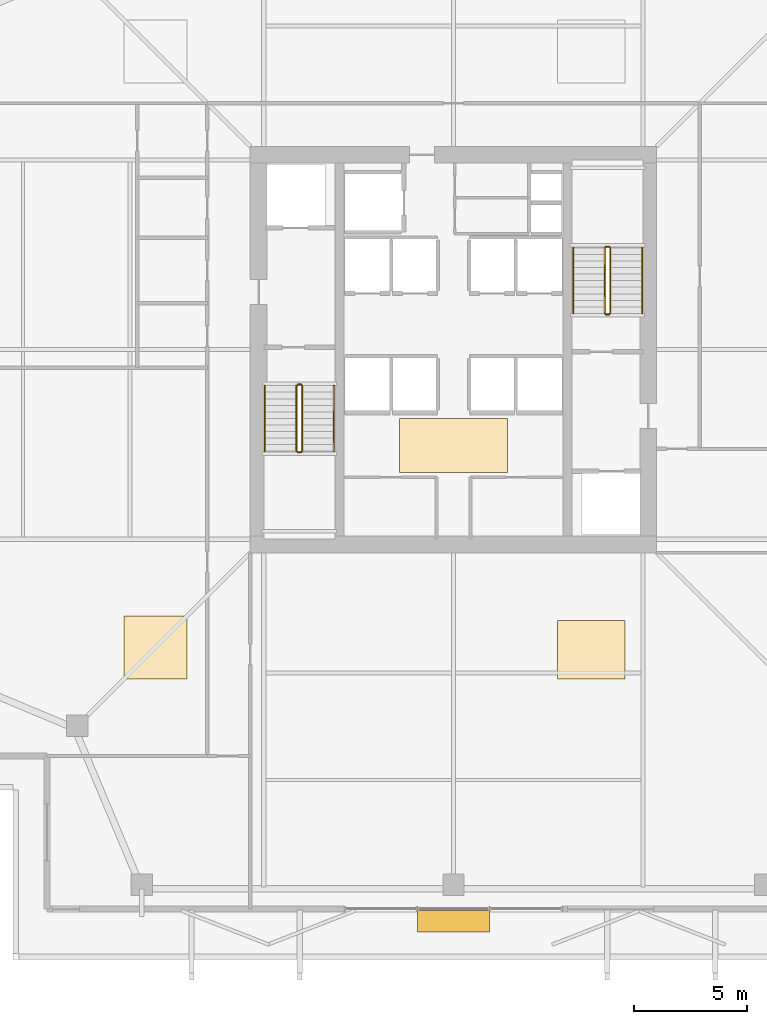
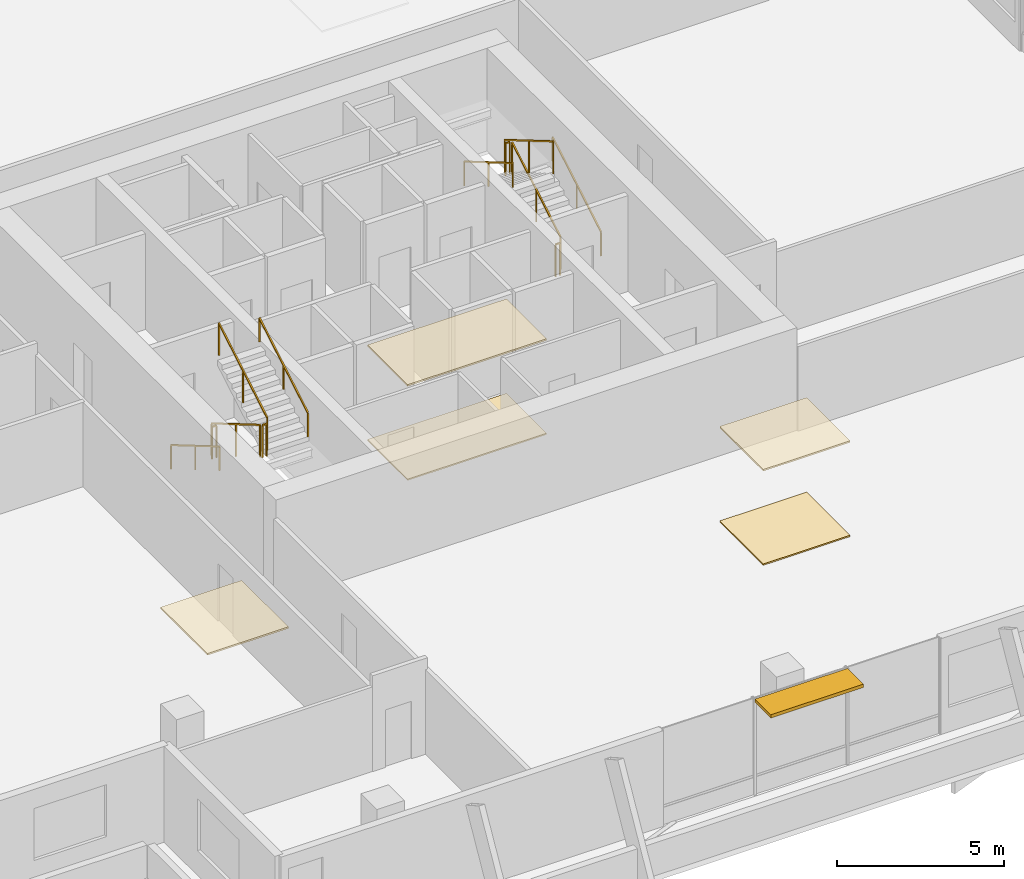
# One storey, part 16 of 17: 12 railings, 5 coverings, 1 shading device.
"""IFC4 building model written with IfcOpenShell, lengths in metres."""

from ifc_helpers import new_model, si_unit, direction, frame, origin, origin_2d, place, context, subcontext, project, spatial, polyline, rectangle, outline, extrude, material, layer, layer_set, type_object, element, save


model = new_model("IFC4")

# Units and contexts
model_context = context("Model", 3, precision=1e-05, world=origin(), true_north=direction((0.0, 1.0)))
body_context = subcontext(model_context, "Body", "Model", "MODEL_VIEW")
ifc_project = project(units=[si_unit("LENGTHUNIT", "METRE"), si_unit("AREAUNIT", "SQUARE_METRE"), si_unit("VOLUMEUNIT", "CUBIC_METRE"), si_unit("PLANEANGLEUNIT", "RADIAN"), si_unit("MASSUNIT", "GRAM", prefix="KILO")], contexts=[model_context])

# Site, building, storey
site_placement = place(None, origin())
site = spatial("IfcSite", under=ifc_project, at=site_placement, CompositionType="ELEMENT")
building_placement = place(site_placement, origin())
building = spatial("IfcBuilding", under=site, at=building_placement, Name="Belovzor Exchange Tower", CompositionType="ELEMENT")
storey_placement = place(building_placement, frame((0.0, 0.0, 246.60009765625)))
storey = spatial("IfcBuildingStorey", under=building, at=storey_placement, Name="L61", CompositionType="ELEMENT", Elevation=246.60009765625)

# Railings
ifc_material_1 = material(Name="Stainless Steel Grade 304", Category="steel")
railing_type_1 = type_object("IfcRailingType", Name="Brushed Stainless Steel Stair Handrail 900", PredefinedType="HANDRAIL", material=ifc_material_1)
railing_1_placement = place(storey_placement, frame((20.449951171875, 27.199951171875, 0.17041015625)))
element("IfcRailing", 1, at=railing_1_placement, inside=storey, type_object=railing_type_1, Name="L61 ST-1 stair handrail 1", PredefinedType="HANDRAIL", context=body_context, shape_type="SweptSolid", body=[
    extrude(rectangle(XDim=0.048095703125, YDim=0.048095703125, at=origin_2d()), frame((0.0, 0.0, 0.8759765625), z_axis=(0.0, -0.86209462966, 0.506747323142), x_axis=(1.0, 0.0, 0.0)), (0.0, 0.0, 1.0), 3.36376953125),
    extrude(rectangle(XDim=0.0419921875, YDim=0.0419921875, at=origin_2d()), origin(), (0.0, 0.0, 1.0), 0.851806640625),
    extrude(rectangle(XDim=0.0419921875, YDim=0.0419921875, at=origin_2d()), frame((0.0, -1.449951171875, 0.852294921875)), (0.0, 0.0, 1.0), 0.851806640625),
    extrude(rectangle(XDim=0.0419921875, YDim=0.0419921875, at=origin_2d()), frame((0.0, -2.89990234375, 1.70458984375)), (0.0, 0.0, 1.0), 0.851806640625),
])
railing_2_placement = place(storey_placement, frame((23.5, 24.300048828125, 2.04541015625)))
element("IfcRailing", 2, at=railing_2_placement, inside=storey, type_object=railing_type_1, Name="L61 ST-1 stair handrail 2", PredefinedType="HANDRAIL", context=body_context, shape_type="SweptSolid", body=[
    extrude(rectangle(XDim=0.048095703125, YDim=0.048095703125, at=origin_2d()), frame((0.0, 0.0, 0.8759765625), z_axis=(0.0, 0.86209462966, 0.506747323142), x_axis=(-1.0, 0.0, 0.0)), (0.0, 0.0, 1.0), 3.36376953125),
    extrude(rectangle(XDim=0.0419921875, YDim=0.0419921875, at=origin_2d()), origin(), (0.0, 0.0, 1.0), 0.851806640625),
    extrude(rectangle(XDim=0.0419921875, YDim=0.0419921875, at=origin_2d()), frame((0.0, 1.449951171875, 0.852294921875)), (0.0, 0.0, 1.0), 0.851806640625),
    extrude(rectangle(XDim=0.0419921875, YDim=0.0419921875, at=origin_2d()), frame((0.0, 2.89990234375, 1.70458984375)), (0.0, 0.0, 1.0), 0.851806640625),
])
railing_3_placement = place(storey_placement, frame((37.14990234375, 30.39990234375, 0.17041015625)))
element("IfcRailing", 3, at=railing_3_placement, inside=storey, type_object=railing_type_1, Name="L61 ST-2 stair handrail 1", PredefinedType="HANDRAIL", context=body_context, shape_type="SweptSolid", body=[
    extrude(rectangle(XDim=0.048095703125, YDim=0.048095703125, at=origin_2d()), frame((0.0, 0.0, 0.8759765625), z_axis=(0.0, 0.862113265706, 0.506715617574), x_axis=(-1.0, 0.0, 0.0)), (0.0, 0.0, 1.0), 3.364013671875),
    extrude(rectangle(XDim=0.0419921875, YDim=0.0419921875, at=origin_2d()), origin(), (0.0, 0.0, 1.0), 0.851806640625),
    extrude(rectangle(XDim=0.0419921875, YDim=0.0419921875, at=origin_2d()), frame((0.0, 1.4501953125, 0.852294921875)), (0.0, 0.0, 1.0), 0.851806640625),
    extrude(rectangle(XDim=0.0419921875, YDim=0.0419921875, at=origin_2d()), frame((0.0, 2.900146484375, 1.70458984375)), (0.0, 0.0, 1.0), 0.851806640625),
])
railing_4_placement = place(storey_placement, frame((34.10009765625, 33.300048828125, 2.04541015625)))
element("IfcRailing", 4, at=railing_4_placement, inside=storey, type_object=railing_type_1, Name="L61 ST-2 stair handrail 2", PredefinedType="HANDRAIL", context=body_context, shape_type="SweptSolid", body=[
    extrude(rectangle(XDim=0.048095703125, YDim=0.048095703125, at=origin_2d()), frame((0.0, 0.0, 0.8759765625), z_axis=(0.0, -0.862113265706, 0.506715617574), x_axis=(1.0, 0.0, 0.0)), (0.0, 0.0, 1.0), 3.364013671875),
    extrude(rectangle(XDim=0.0419921875, YDim=0.0419921875, at=origin_2d()), origin(), (0.0, 0.0, 1.0), 0.851806640625),
    extrude(rectangle(XDim=0.0419921875, YDim=0.0419921875, at=origin_2d()), frame((0.0, -1.4501953125, 0.852294921875)), (0.0, 0.0, 1.0), 0.851806640625),
    extrude(rectangle(XDim=0.0419921875, YDim=0.0419921875, at=origin_2d()), frame((0.0, -2.900146484375, 1.70458984375)), (0.0, 0.0, 1.0), 0.851806640625),
])
ifc_material_2 = material(Name="Steel S355", Category="steel")
railing_type_2 = type_object("IfcRailingType", Name="Painted Steel Stairwell Guardrail 1200", PredefinedType="GUARDRAIL", material=ifc_material_2)
railing_5_placement = place(storey_placement, frame((21.85009765625, 27.199951171875, 0.17041015625)))
element("IfcRailing", 5, at=railing_5_placement, inside=storey, type_object=railing_type_2, Name="L61 ST-1 stair guard 1", PredefinedType="GUARDRAIL", context=body_context, shape_type="SweptSolid", body=[
    extrude(rectangle(XDim=0.048095703125, YDim=0.048095703125, at=origin_2d()), frame((0.0, 0.0, 1.17578125), z_axis=(0.0, -0.86209462966, 0.506747323142), x_axis=(1.0, 0.0, 0.0)), (0.0, 0.0, 1.0), 3.36376953125),
    extrude(rectangle(XDim=0.0419921875, YDim=0.0419921875, at=origin_2d()), origin(), (0.0, 0.0, 1.0), 1.15185546875),
    extrude(rectangle(XDim=0.0419921875, YDim=0.0419921875, at=origin_2d()), frame((0.0, -1.449951171875, 0.852294921875)), (0.0, 0.0, 1.0), 1.15185546875),
    extrude(rectangle(XDim=0.0419921875, YDim=0.0419921875, at=origin_2d()), frame((0.0, -2.89990234375, 1.70458984375)), (0.0, 0.0, 1.0), 1.15185546875),
])
railing_6_placement = place(storey_placement, frame((21.89990234375, 24.25, 1.875)))
element("IfcRailing", 6, at=railing_6_placement, inside=storey, type_object=railing_type_2, Name="L61 ST-1 stair guard 2", PredefinedType="GUARDRAIL", context=body_context, shape_type="SweptSolid", body=[
    extrude(rectangle(XDim=0.048095703125, YDim=0.048095703125, at=origin_2d()), frame((0.0, 0.0, 1.17578125), z_axis=(1.0, 0.0, 0.0), x_axis=(0.0, 1.0, 0.0)), (0.0, 0.0, 1.0), 0.150146484375),
    extrude(rectangle(XDim=0.0419921875, YDim=0.0419921875, at=origin_2d()), origin(), (0.0, 0.0, 1.0), 1.15185546875),
    extrude(rectangle(XDim=0.0419921875, YDim=0.0419921875, at=origin_2d()), frame((0.150146484375, 0.0, 0.0)), (0.0, 0.0, 1.0), 1.15185546875),
])
railing_7_placement = place(storey_placement, frame((22.10009765625, 24.300048828125, 2.04541015625)))
element("IfcRailing", 7, at=railing_7_placement, inside=storey, type_object=railing_type_2, Name="L61 ST-1 stair guard 3", PredefinedType="GUARDRAIL", context=body_context, shape_type="SweptSolid", body=[
    extrude(rectangle(XDim=0.048095703125, YDim=0.048095703125, at=origin_2d()), frame((0.0, 0.0, 1.17578125), z_axis=(0.0, 0.86209462966, 0.506747323142), x_axis=(-1.0, 0.0, 0.0)), (0.0, 0.0, 1.0), 3.36376953125),
    extrude(rectangle(XDim=0.0419921875, YDim=0.0419921875, at=origin_2d()), origin(), (0.0, 0.0, 1.0), 1.15185546875),
    extrude(rectangle(XDim=0.0419921875, YDim=0.0419921875, at=origin_2d()), frame((0.0, 1.449951171875, 0.852294921875)), (0.0, 0.0, 1.0), 1.15185546875),
    extrude(rectangle(XDim=0.0419921875, YDim=0.0419921875, at=origin_2d()), frame((0.0, 2.89990234375, 1.70458984375)), (0.0, 0.0, 1.0), 1.15185546875),
])
railing_8_placement = place(storey_placement, frame((21.89990234375, 27.25, 0.0)))
element("IfcRailing", 8, at=railing_8_placement, inside=storey, type_object=railing_type_2, Name="L61 ST-1 stair guard 4", PredefinedType="GUARDRAIL", context=body_context, shape_type="SweptSolid", body=[
    extrude(rectangle(XDim=0.048095703125, YDim=0.048095703125, at=origin_2d()), frame((0.0, 0.0, 1.17578125), z_axis=(1.0, 0.0, 0.0), x_axis=(0.0, 1.0, 0.0)), (0.0, 0.0, 1.0), 0.150146484375),
    extrude(rectangle(XDim=0.0419921875, YDim=0.0419921875, at=origin_2d()), origin(), (0.0, 0.0, 1.0), 1.15185546875),
    extrude(rectangle(XDim=0.0419921875, YDim=0.0419921875, at=origin_2d()), frame((0.150146484375, 0.0, 0.0)), (0.0, 0.0, 1.0), 1.15185546875),
])
railing_9_placement = place(storey_placement, frame((35.75, 30.39990234375, 0.17041015625)))
element("IfcRailing", 9, at=railing_9_placement, inside=storey, type_object=railing_type_2, Name="L61 ST-2 stair guard 1", PredefinedType="GUARDRAIL", context=body_context, shape_type="SweptSolid", body=[
    extrude(rectangle(XDim=0.048095703125, YDim=0.048095703125, at=origin_2d()), frame((0.0, 0.0, 1.17578125), z_axis=(0.0, 0.862113265706, 0.506715617574), x_axis=(-1.0, 0.0, 0.0)), (0.0, 0.0, 1.0), 3.364013671875),
    extrude(rectangle(XDim=0.0419921875, YDim=0.0419921875, at=origin_2d()), origin(), (0.0, 0.0, 1.0), 1.15185546875),
    extrude(rectangle(XDim=0.0419921875, YDim=0.0419921875, at=origin_2d()), frame((0.0, 1.4501953125, 0.852294921875)), (0.0, 0.0, 1.0), 1.15185546875),
    extrude(rectangle(XDim=0.0419921875, YDim=0.0419921875, at=origin_2d()), frame((0.0, 2.900146484375, 1.70458984375)), (0.0, 0.0, 1.0), 1.15185546875),
])
railing_10_placement = place(storey_placement, frame((35.699951171875, 33.35009765625, 1.875)))
element("IfcRailing", 10, at=railing_10_placement, inside=storey, type_object=railing_type_2, Name="L61 ST-2 stair guard 2", PredefinedType="GUARDRAIL", context=body_context, shape_type="SweptSolid", body=[
    extrude(rectangle(XDim=0.048095703125, YDim=0.048095703125, at=origin_2d()), frame((0.0, 0.0, 1.17578125), z_axis=(-1.0, 0.0, 0.0), x_axis=(0.0, -1.0, 0.0)), (0.0, 0.0, 1.0), 0.14990234375),
    extrude(rectangle(XDim=0.0419921875, YDim=0.0419921875, at=origin_2d()), origin(), (0.0, 0.0, 1.0), 1.15185546875),
    extrude(rectangle(XDim=0.0419921875, YDim=0.0419921875, at=origin_2d()), frame((-0.14990234375, 0.0, 0.0)), (0.0, 0.0, 1.0), 1.15185546875),
])
railing_11_placement = place(storey_placement, frame((35.5, 33.300048828125, 2.04541015625)))
element("IfcRailing", 11, at=railing_11_placement, inside=storey, type_object=railing_type_2, Name="L61 ST-2 stair guard 3", PredefinedType="GUARDRAIL", context=body_context, shape_type="SweptSolid", body=[
    extrude(rectangle(XDim=0.048095703125, YDim=0.048095703125, at=origin_2d()), frame((0.0, 0.0, 1.17578125), z_axis=(0.0, -0.862113265706, 0.506715617574), x_axis=(1.0, 0.0, 0.0)), (0.0, 0.0, 1.0), 3.364013671875),
    extrude(rectangle(XDim=0.0419921875, YDim=0.0419921875, at=origin_2d()), origin(), (0.0, 0.0, 1.0), 1.15185546875),
    extrude(rectangle(XDim=0.0419921875, YDim=0.0419921875, at=origin_2d()), frame((0.0, -1.4501953125, 0.852294921875)), (0.0, 0.0, 1.0), 1.15185546875),
    extrude(rectangle(XDim=0.0419921875, YDim=0.0419921875, at=origin_2d()), frame((0.0, -2.900146484375, 1.70458984375)), (0.0, 0.0, 1.0), 1.15185546875),
])
railing_12_placement = place(storey_placement, frame((35.699951171875, 30.35009765625, 0.0)))
element("IfcRailing", 12, at=railing_12_placement, inside=storey, type_object=railing_type_2, Name="L61 ST-2 stair guard 4", PredefinedType="GUARDRAIL", context=body_context, shape_type="SweptSolid", body=[
    extrude(rectangle(XDim=0.048095703125, YDim=0.048095703125, at=origin_2d()), frame((0.0, 0.0, 1.17578125), z_axis=(-1.0, 0.0, 0.0), x_axis=(0.0, -1.0, 0.0)), (0.0, 0.0, 1.0), 0.14990234375),
    extrude(rectangle(XDim=0.0419921875, YDim=0.0419921875, at=origin_2d()), origin(), (0.0, 0.0, 1.0), 1.15185546875),
    extrude(rectangle(XDim=0.0419921875, YDim=0.0419921875, at=origin_2d()), frame((-0.14990234375, 0.0, 0.0)), (0.0, 0.0, 1.0), 1.15185546875),
])

# Coverings
ifc_material_3 = material(Name="Perforated Powder-Coated Aluminium", Category="aluminium")
ifc_layer_1 = layer(ifc_material_3, 0.06005859375)
ifc_layer_set_1 = layer_set([ifc_layer_1], Name="Perforated Powder-Coated Aluminium")
covering_type_1 = type_object("IfcCoveringType", Name="Perforated Acoustic Metal Tile Suspended Ceiling 60", PredefinedType="CEILING", material=ifc_layer_set_1)
covering_1_placement = place(storey_placement, frame((0.0, 0.0, 3.43994140625)))
element("IfcCovering", 13, at=covering_1_placement, inside=storey, type_object=covering_type_1, Name="CLG-AC60 Suspended Ceiling CLG-L61-LOB", PredefinedType="CEILING", context=body_context, shape_type="SweptSolid", body=[
    extrude(outline(polyline([(26.39990234375, 23.35009765625), (31.199951171875, 23.35009765625), (31.199951171875, 25.75), (26.39990234375, 25.75), (26.39990234375, 23.35009765625)])), origin(), (0.0, 0.0, 1.0), 0.06005859375),
])
covering_2_placement = place(storey_placement, frame((0.0, 0.0, 3.43994140625)))
element("IfcCovering", 14, at=covering_2_placement, inside=storey, type_object=covering_type_1, Name="CLG-AC60 Suspended Ceiling CLG-L61-Z0", PredefinedType="CEILING", context=body_context, shape_type="SweptSolid", body=[
    extrude(outline(polyline([(14.199951171875, 14.199951171875), (17.0, 14.199951171875), (17.0, 17.0), (14.199951171875, 17.0), (14.199951171875, 14.199951171875)])), origin(), (0.0, 0.0, 1.0), 0.06005859375),
])
covering_3_placement = place(storey_placement, frame((0.0, 0.0, 3.43994140625)))
element("IfcCovering", 15, at=covering_3_placement, inside=storey, type_object=covering_type_1, Name="CLG-AC60 Suspended Ceiling CLG-L61-Z1", PredefinedType="CEILING", context=body_context, shape_type="SweptSolid", body=[
    extrude(outline(polyline([(33.39990234375, 14.199951171875), (36.39990234375, 14.199951171875), (36.39990234375, 16.800048828125), (33.39990234375, 16.800048828125), (33.39990234375, 14.199951171875)])), origin(), (0.0, 0.0, 1.0), 0.06005859375),
])
ifc_material_4 = material(Name="Polished Natural Granite Tile", Category="masonry")
ifc_layer_2 = layer(ifc_material_4, 0.050048828125)
ifc_layer_set_2 = layer_set([ifc_layer_2], Name="Polished Natural Granite Tile")
covering_type_2 = type_object("IfcCoveringType", Name="Polished Karelian Granite & Raised Access Floor Finish 50", PredefinedType="FLOORING", material=ifc_layer_set_2)
covering_4_placement = place(storey_placement, origin())
element("IfcCovering", 16, at=covering_4_placement, inside=storey, type_object=covering_type_2, Name="FLR-GR50 Floor Finish FLR-L61-LOB", PredefinedType="FLOORING", context=body_context, shape_type="SweptSolid", body=[
    extrude(outline(polyline([(26.39990234375, 23.35009765625), (31.199951171875, 23.35009765625), (31.199951171875, 25.75), (26.39990234375, 25.75), (26.39990234375, 23.35009765625)])), origin(), (0.0, 0.0, 1.0), 0.0498046875),
])
covering_5_placement = place(storey_placement, origin())
element("IfcCovering", 17, at=covering_5_placement, inside=storey, type_object=covering_type_2, Name="FLR-GR50 Floor Finish FLR-L61-Z1", PredefinedType="FLOORING", context=body_context, shape_type="SweptSolid", body=[
    extrude(outline(polyline([(33.39990234375, 14.199951171875), (36.39990234375, 14.199951171875), (36.39990234375, 16.800048828125), (33.39990234375, 16.800048828125), (33.39990234375, 14.199951171875)])), origin(), (0.0, 0.0, 1.0), 0.0498046875),
])

# Shading device
ifc_material_5 = material(Name="Extruded Architectural Terracotta", Category="masonry")
ifc_layer_3 = layer(ifc_material_5, 0.1201171875)
ifc_layer_set_3 = layer_set([ifc_layer_3], Name="Extruded Architectural Terracotta")
shading_device_type = type_object("IfcShadingDeviceType", Name="Streamline Terracotta Horizontal Sunshade Hood 950", PredefinedType="AWNING", material=ifc_layer_set_3)
shading_device_placement = place(storey_placement, frame((28.800048828125, 3.485107421875, 3.3798828125), z_axis=(0.0, 0.0, 1.0), x_axis=(1.0, 0.0, 0.0)))
element("IfcShadingDevice", 18, at=shading_device_placement, inside=storey, type_object=shading_device_type, Name="SHD-TC095 Terracotta Sunshade L61 S", PredefinedType="AWNING", context=body_context, shape_type="SweptSolid", body=[
    extrude(rectangle(XDim=3.199951171875, YDim=0.949951171875, at=origin_2d()), origin(), (0.0, 0.0, 1.0), 0.1201171875),
])

save(model, "model.ifc")
